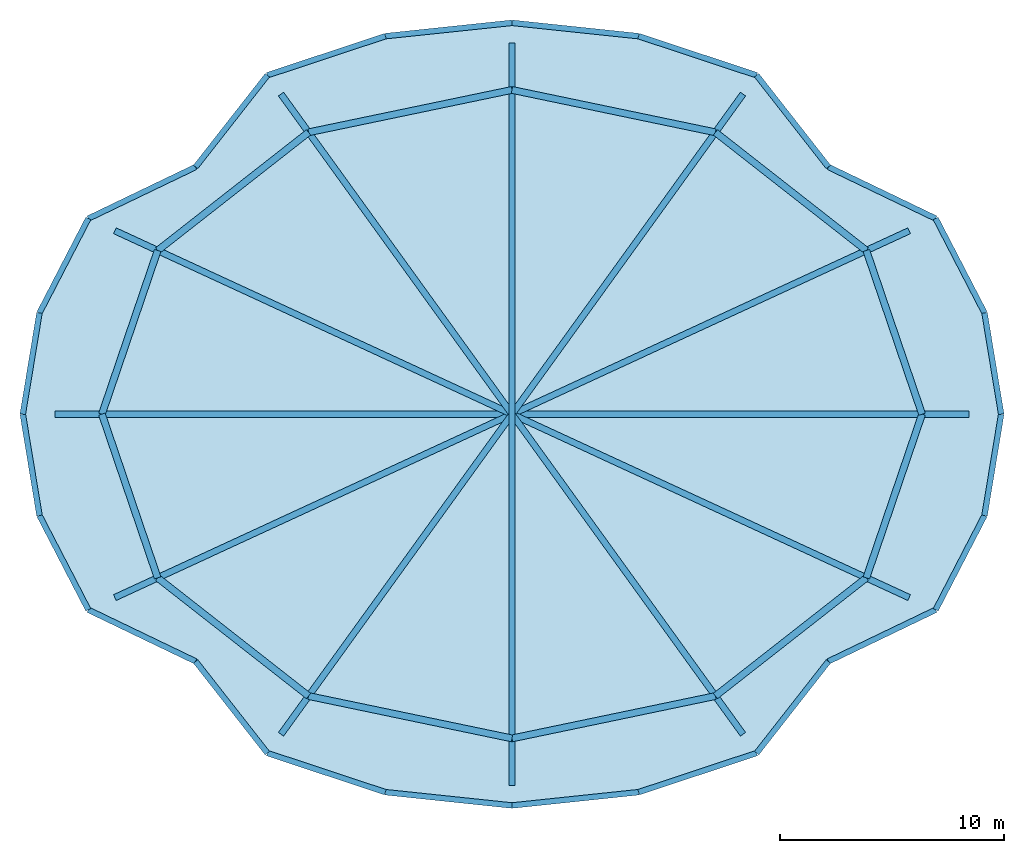
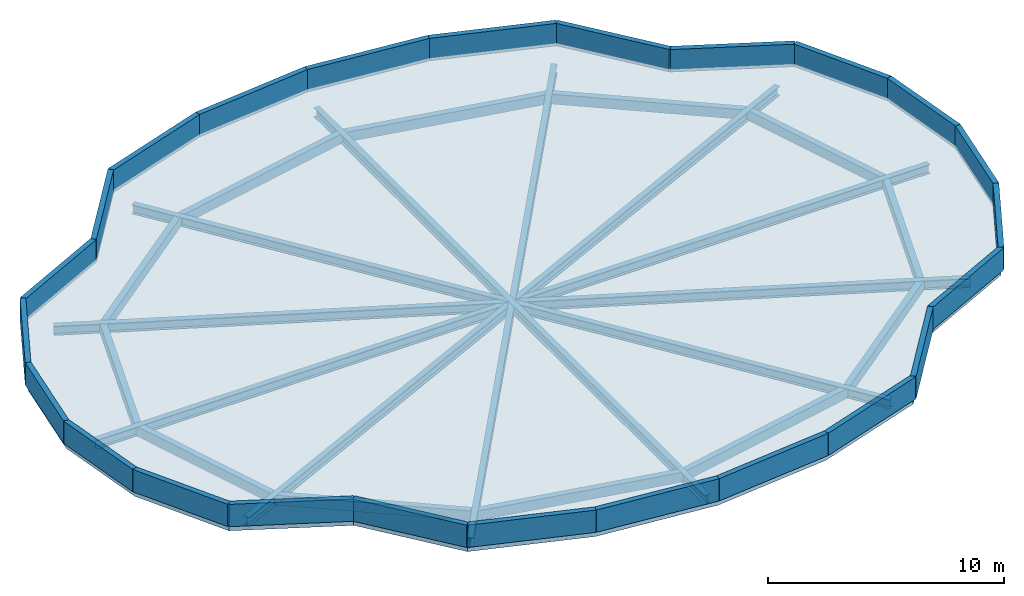
# One storey, part 1 of 2: 24 walls, 18 beams, 1 slab.
"""IFC4 building model written with IfcOpenShell, lengths in metres."""

from ifc_helpers import new_model, si_unit, direction, frame, frame_2d, origin, origin_2d, place, context, subcontext, project, spatial, polyline, rectangle, hollow_rectangle, i_section, outline, extrude, material, layer, layer_set, material_profile, profile_set, type_object, element, save


model = new_model("IFC4")

# Units and contexts
model_context = context("Model", 3, precision=1e-05, world=origin(), true_north=direction((0.0, 1.0)))
body_context = subcontext(model_context, "Body", "Model", "MODEL_VIEW")
ifc_project = project(units=[si_unit("LENGTHUNIT", "METRE"), si_unit("AREAUNIT", "SQUARE_METRE"), si_unit("VOLUMEUNIT", "CUBIC_METRE"), si_unit("PLANEANGLEUNIT", "RADIAN"), si_unit("MASSUNIT", "GRAM", prefix="KILO")], contexts=[model_context])

# Site, building, storey
site_placement = place(None, origin())
site = spatial("IfcSite", under=ifc_project, at=site_placement, CompositionType="ELEMENT")
building_placement = place(site_placement, origin())
building = spatial("IfcBuilding", under=site, at=building_placement, Name="Kolvaren Gate Tower and Convention Centre", CompositionType="ELEMENT")
storey_placement = place(building_placement, frame((0.0, 0.0, 291.300048828125)))
storey = spatial("IfcBuildingStorey", under=building, at=storey_placement, Name="RF", CompositionType="ELEMENT", Elevation=291.300048828125)

# Beams
ifc_material_1 = material(Name="Structural steel ASTM A500 Grade C 345 MPa", Category="steel")
ifc_material_profile_1 = material_profile(ifc_material_1, hollow_rectangle(XDim=0.304931640625, YDim=0.508056640625, WallThickness=0.015869140625, at=origin_2d()), Name="HSS508X305X15.9")
ifc_profile_set_1 = profile_set([ifc_material_profile_1], Name="Structural steel ASTM A500 Grade C 345 MPa")
beam_type_1 = type_object("IfcBeamType", Name="STR-BM-HSS508X305", PredefinedType="BEAM", material=ifc_profile_set_1)
beam_1_placement = place(storey_placement, frame((48.39990234375, 27.0, -0.254150390625), z_axis=(-0.322371334633, 0.946613290952, 0.0), x_axis=(-0.946613290952, -0.322371334633, 0.0)))
element("IfcBeam", 1, at=beam_1_placement, inside=storey, type_object=beam_type_1, Name="Crown Canopy Ring Beam RB-01 (CROWN FRAME)", PredefinedType="BEAM", context=body_context, shape_type="SweptSolid", body=[
    extrude(hollow_rectangle(XDim=0.304931640625, YDim=0.508056640625, WallThickness=0.015869140625, at=origin_2d()), origin(), (0.0, 0.0, 1.0), 7.705078125),
])
beam_2_placement = place(storey_placement, frame((45.916015625, 34.293701171875, -0.254150390625), z_axis=(-0.787311981436, 0.616554818233, 0.0), x_axis=(-0.616554818233, -0.787311981436, 0.0)))
element("IfcBeam", 2, at=beam_2_placement, inside=storey, type_object=beam_type_1, Name="Crown Canopy Ring Beam RB-02 (CROWN FRAME)", PredefinedType="BEAM", context=body_context, shape_type="SweptSolid", body=[
    extrude(hollow_rectangle(XDim=0.304931640625, YDim=0.508056640625, WallThickness=0.015869140625, at=origin_2d()), origin(), (0.0, 0.0, 1.0), 8.542724609375),
])
for number, where, z_axis, x_axis, name in (
    (3, (39.190185546875, 39.560791015625, -0.254150390625), (-0.978967915245, 0.204014266466, 0.0), (-0.204014266466, -0.978967915245, 0.0), "Crown Canopy Ring Beam RB-03 (CROWN FRAME)"),
    (4, (30.125, 41.449951171875, -0.254150390625), (-0.978967915245, -0.204014266466, 0.0), (0.204014266466, -0.978967915245, 0.0), "Crown Canopy Ring Beam RB-04 (CROWN FRAME)"),
):
    element("IfcBeam", number, at=place(storey_placement, frame(where, z_axis=z_axis, x_axis=x_axis)), inside=storey, type_object=beam_type_1, Name=name, PredefinedType="BEAM", context=body_context, shape_type="SweptSolid", body=[
        extrude(hollow_rectangle(XDim=0.304931640625, YDim=0.508056640625, WallThickness=0.015869140625, at=origin_2d()), origin(), (0.0, 0.0, 1.0), 9.260009765625),
    ])
beam_3_placement = place(storey_placement, frame((21.059814453125, 39.560791015625, -0.254150390625), z_axis=(-0.787311981436, -0.616554818233, 0.0), x_axis=(0.616554818233, -0.787311981436, 0.0)))
element("IfcBeam", 5, at=beam_3_placement, inside=storey, type_object=beam_type_1, Name="Crown Canopy Ring Beam RB-05 (CROWN FRAME)", PredefinedType="BEAM", context=body_context, shape_type="SweptSolid", body=[
    extrude(hollow_rectangle(XDim=0.304931640625, YDim=0.508056640625, WallThickness=0.015869140625, at=origin_2d()), origin(), (0.0, 0.0, 1.0), 8.542724609375),
])
for number, where, z_axis, x_axis, name in (
    (6, (14.333984375, 34.293701171875, -0.254150390625), (-0.322371334633, -0.946613290952, 0.0), (0.946613290952, -0.322371334633, 0.0), "Crown Canopy Ring Beam RB-06 (CROWN FRAME)"),
    (7, (11.85009765625, 27.0, -0.254150390625), (0.322371334633, -0.946613290952, 0.0), (0.946613290952, 0.322371334633, 0.0), "Crown Canopy Ring Beam RB-07 (CROWN FRAME)"),
):
    element("IfcBeam", number, at=place(storey_placement, frame(where, z_axis=z_axis, x_axis=x_axis)), inside=storey, type_object=beam_type_1, Name=name, PredefinedType="BEAM", context=body_context, shape_type="SweptSolid", body=[
        extrude(hollow_rectangle(XDim=0.304931640625, YDim=0.508056640625, WallThickness=0.015869140625, at=origin_2d()), origin(), (0.0, 0.0, 1.0), 7.705078125),
    ])
beam_4_placement = place(storey_placement, frame((14.333984375, 19.706298828125, -0.254150390625), z_axis=(0.787311981436, -0.616554818233, 0.0), x_axis=(0.616554818233, 0.787311981436, 0.0)))
element("IfcBeam", 8, at=beam_4_placement, inside=storey, type_object=beam_type_1, Name="Crown Canopy Ring Beam RB-08 (CROWN FRAME)", PredefinedType="BEAM", context=body_context, shape_type="SweptSolid", body=[
    extrude(hollow_rectangle(XDim=0.304931640625, YDim=0.508056640625, WallThickness=0.015869140625, at=origin_2d()), origin(), (0.0, 0.0, 1.0), 8.542724609375),
])
for number, where, z_axis, x_axis, name in (
    (9, (21.059814453125, 14.439208984375, -0.254150390625), (0.978967915245, -0.204014266466, 0.0), (0.204014266466, 0.978967915245, 0.0), "Crown Canopy Ring Beam RB-09 (CROWN FRAME)"),
    (10, (30.125, 12.550048828125, -0.254150390625), (0.978967915245, 0.204014266466, 0.0), (-0.204014266466, 0.978967915245, 0.0), "Crown Canopy Ring Beam RB-10 (CROWN FRAME)"),
):
    element("IfcBeam", number, at=place(storey_placement, frame(where, z_axis=z_axis, x_axis=x_axis)), inside=storey, type_object=beam_type_1, Name=name, PredefinedType="BEAM", context=body_context, shape_type="SweptSolid", body=[
        extrude(hollow_rectangle(XDim=0.304931640625, YDim=0.508056640625, WallThickness=0.015869140625, at=origin_2d()), origin(), (0.0, 0.0, 1.0), 9.260009765625),
    ])
beam_5_placement = place(storey_placement, frame((39.190185546875, 14.439208984375, -0.254150390625), z_axis=(0.787311981436, 0.616554818233, 0.0), x_axis=(-0.616554818233, 0.787311981436, 0.0)))
element("IfcBeam", 11, at=beam_5_placement, inside=storey, type_object=beam_type_1, Name="Crown Canopy Ring Beam RB-11 (CROWN FRAME)", PredefinedType="BEAM", context=body_context, shape_type="SweptSolid", body=[
    extrude(hollow_rectangle(XDim=0.304931640625, YDim=0.508056640625, WallThickness=0.015869140625, at=origin_2d()), origin(), (0.0, 0.0, 1.0), 8.542724609375),
])
beam_6_placement = place(storey_placement, frame((45.916015625, 19.706298828125, -0.254150390625), z_axis=(0.322371334633, 0.946613290952, 0.0), x_axis=(-0.946613290952, 0.322371334633, 0.0)))
element("IfcBeam", 12, at=beam_6_placement, inside=storey, type_object=beam_type_1, Name="Crown Canopy Ring Beam RB-12 (CROWN FRAME)", PredefinedType="BEAM", context=body_context, shape_type="SweptSolid", body=[
    extrude(hollow_rectangle(XDim=0.304931640625, YDim=0.508056640625, WallThickness=0.015869140625, at=origin_2d()), origin(), (0.0, 0.0, 1.0), 7.705078125),
])
ifc_material_2 = material(Name="Structural steel ASTM A992 Grade 345 MPa", Category="steel")
ifc_material_profile_2 = material_profile(ifc_material_2, i_section(OverallWidth=0.283935546875, OverallDepth=0.47607421875, WebThickness=0.014892578125, FlangeThickness=0.02392578125, at=origin_2d()), Name="W460X158")
ifc_profile_set_2 = profile_set([ifc_material_profile_2], Name="Structural steel ASTM A992 Grade 345 MPa")
beam_type_2 = type_object("IfcBeamType", Name="STR-BM-W460X158", PredefinedType="BEAM", material=ifc_profile_set_2)
beam_7_placement = place(storey_placement, frame((50.5, 27.0, -0.238037109375), z_axis=(-1.0, 0.0, 0.0), x_axis=(0.0, -1.0, 0.0)))
element("IfcBeam", 13, at=beam_7_placement, inside=storey, type_object=beam_type_2, Name="Crown Canopy Cross Girder CG-01 (CROWN FRAME)", PredefinedType="BEAM", context=body_context, shape_type="SweptSolid", body=[
    extrude(i_section(OverallWidth=0.283935546875, OverallDepth=0.47607421875, WebThickness=0.014892578125, FlangeThickness=0.02392578125, at=origin_2d()), origin(), (0.0, 0.0, 1.0), 40.75),
])
beam_8_placement = place(storey_placement, frame((47.822509765625, 35.17431640625, -0.238037109375), z_axis=(-0.907837651546, -0.419321831575, 0.0), x_axis=(0.419321831575, -0.907837651546, 0.0)))
element("IfcBeam", 14, at=beam_8_placement, inside=storey, type_object=beam_type_2, Name="Crown Canopy Cross Girder CG-02 (CROWN FRAME)", PredefinedType="BEAM", context=body_context, shape_type="SweptSolid", body=[
    extrude(i_section(OverallWidth=0.283935546875, OverallDepth=0.47607421875, WebThickness=0.014892578125, FlangeThickness=0.02392578125, at=origin_2d()), origin(), (0.0, 0.0, 1.0), 38.98828125),
])
beam_9_placement = place(storey_placement, frame((40.4189453125, 41.263916015625, -0.238037109375), z_axis=(-0.585200152246, -0.810888883763, 0.0), x_axis=(0.810888883763, -0.585200152246, 0.0)))
element("IfcBeam", 15, at=beam_9_placement, inside=storey, type_object=beam_type_2, Name="Crown Canopy Cross Girder CG-03 (CROWN FRAME)", PredefinedType="BEAM", context=body_context, shape_type="SweptSolid", body=[
    extrude(i_section(OverallWidth=0.283935546875, OverallDepth=0.47607421875, WebThickness=0.014892578125, FlangeThickness=0.02392578125, at=origin_2d()), origin(), (0.0, 0.0, 1.0), 35.180908203125),
])
beam_10_placement = place(storey_placement, frame((30.125, 43.550048828125, -0.238037109375), z_axis=(0.0, -1.0, 0.0), x_axis=(1.0, 0.0, 0.0)))
element("IfcBeam", 16, at=beam_10_placement, inside=storey, type_object=beam_type_2, Name="Crown Canopy Cross Girder CG-04 (CROWN FRAME)", PredefinedType="BEAM", context=body_context, shape_type="SweptSolid", body=[
    extrude(i_section(OverallWidth=0.283935546875, OverallDepth=0.47607421875, WebThickness=0.014892578125, FlangeThickness=0.02392578125, at=origin_2d()), origin(), (0.0, 0.0, 1.0), 33.10009765625),
])
beam_11_placement = place(storey_placement, frame((19.8310546875, 41.263916015625, -0.238037109375), z_axis=(0.585200152246, -0.810888883763, 0.0), x_axis=(0.810888883763, 0.585200152246, 0.0)))
element("IfcBeam", 17, at=beam_11_placement, inside=storey, type_object=beam_type_2, Name="Crown Canopy Cross Girder CG-05 (CROWN FRAME)", PredefinedType="BEAM", context=body_context, shape_type="SweptSolid", body=[
    extrude(i_section(OverallWidth=0.283935546875, OverallDepth=0.47607421875, WebThickness=0.014892578125, FlangeThickness=0.02392578125, at=origin_2d()), origin(), (0.0, 0.0, 1.0), 35.180908203125),
])
beam_12_placement = place(storey_placement, frame((12.427490234375, 35.17431640625, -0.238037109375), z_axis=(0.907837651546, -0.419321831575, 0.0), x_axis=(0.419321831575, 0.907837651546, 0.0)))
element("IfcBeam", 18, at=beam_12_placement, inside=storey, type_object=beam_type_2, Name="Crown Canopy Cross Girder CG-06 (CROWN FRAME)", PredefinedType="BEAM", context=body_context, shape_type="SweptSolid", body=[
    extrude(i_section(OverallWidth=0.283935546875, OverallDepth=0.47607421875, WebThickness=0.014892578125, FlangeThickness=0.02392578125, at=origin_2d()), origin(), (0.0, 0.0, 1.0), 38.98828125),
])

# Slab
ifc_material_3 = material(Name="Concrete C50/60", Category="concrete")
ifc_layer_1 = layer(ifc_material_3, 0.300048828125)
ifc_layer_set_1 = layer_set([ifc_layer_1], Name="Concrete C50/60")
slab_type = type_object("IfcSlabType", Name="STR-SL-ROOF-300", PredefinedType="ROOF", material=ifc_layer_set_1)
slab_placement = place(storey_placement, origin())
element("IfcSlab", 19, at=slab_placement, inside=storey, type_object=slab_type, Name="Tower Observation Crown Canopy Roof Slab", PredefinedType="ROOF", context=body_context, shape_type="SweptSolid", body=[
    extrude(outline(polyline([(51.927490234375, 27.0), (51.1845703125, 31.514404296875), (49.006591796875, 35.720947265625), (44.22607421875, 38.017822265625), (41.026123046875, 42.105224609375), (35.767822265625, 43.84765625), (30.125, 44.44189453125), (24.482177734375, 43.84765625), (19.223876953125, 42.105224609375), (16.02392578125, 38.017822265625), (11.243408203125, 35.720947265625), (9.0654296875, 31.514404296875), (8.322509765625, 27.0), (9.0654296875, 22.485595703125), (11.243408203125, 18.279052734375), (16.02392578125, 15.982177734375), (19.223876953125, 11.894775390625), (24.482177734375, 10.15234375), (30.125, 9.55810546875), (35.767822265625, 10.15234375), (41.026123046875, 11.894775390625), (44.22607421875, 15.982177734375), (49.006591796875, 18.279052734375), (51.1845703125, 22.485595703125), (51.927490234375, 27.0)])), origin(), (0.0, 0.0, 1.0), 0.300048828125),
])

# Walls
ifc_material_4 = material(Name="Piedmont Cream Honed Limestone Cladding", Category="masonry")
ifc_layer_2 = layer(ifc_material_4, 0.25)
ifc_layer_set_2 = layer_set([ifc_layer_2], Name="Piedmont Cream Honed Limestone Cladding")
wall_type = type_object("IfcWallType", Name="ARCH-WL-PARAPET-250", PredefinedType="PARAPET", material=ifc_layer_set_2)
wall_1_placement = place(storey_placement, frame((51.1845703125, 31.514404296875, 0.300048828125), z_axis=(0.0, 0.0, 1.0), x_axis=(0.162382402786, -0.986727903358, 0.0)))
element("IfcWall", 20, at=wall_1_placement, inside=storey, type_object=wall_type, Name="Crown Canopy Stone Parapet Upstand PW-01", PredefinedType="PARAPET", context=body_context, shape_type="SweptSolid", body=[
    extrude(rectangle(XDim=4.5751953125, YDim=0.25, at=frame_2d((2.28759765625, 0.0))), origin(), (0.0, 0.0, 1.0), 1.14990234375),
])
wall_2_placement = place(storey_placement, frame((49.006591796875, 35.720947265625, 0.300048828125), z_axis=(0.0, 0.0, 1.0), x_axis=(0.459786027749, -0.888029734123, 0.0)))
element("IfcWall", 21, at=wall_2_placement, inside=storey, type_object=wall_type, Name="Crown Canopy Stone Parapet Upstand PW-02", PredefinedType="PARAPET", context=body_context, shape_type="SweptSolid", body=[
    extrude(rectangle(XDim=4.737060546875, YDim=0.25, at=frame_2d((2.36865234375, 0.0))), origin(), (0.0, 0.0, 1.0), 1.14990234375),
])
wall_3_placement = place(storey_placement, frame((44.22607421875, 38.017822265625, 0.300048828125), z_axis=(0.0, 0.0, 1.0), x_axis=(0.901359215947, -0.433072238579, 0.0)))
element("IfcWall", 22, at=wall_3_placement, inside=storey, type_object=wall_type, Name="Crown Canopy Stone Parapet Upstand PW-03", PredefinedType="PARAPET", context=body_context, shape_type="SweptSolid", body=[
    extrude(rectangle(XDim=5.3037109375, YDim=0.25, at=frame_2d((2.65185546875, 0.0))), origin(), (0.0, 0.0, 1.0), 1.14990234375),
])
wall_4_placement = place(storey_placement, frame((41.026123046875, 42.105224609375, 0.300048828125), z_axis=(0.0, 0.0, 1.0), x_axis=(0.616441407581, -0.787400781699, 0.0)))
element("IfcWall", 23, at=wall_4_placement, inside=storey, type_object=wall_type, Name="Crown Canopy Stone Parapet Upstand PW-04", PredefinedType="PARAPET", context=body_context, shape_type="SweptSolid", body=[
    extrude(rectangle(XDim=5.19091796875, YDim=0.25, at=frame_2d((2.595458984375, 0.0))), origin(), (0.0, 0.0, 1.0), 1.14990234375),
])
wall_5_placement = place(storey_placement, frame((35.767822265625, 43.84765625, 0.300048828125), z_axis=(0.0, 0.0, 1.0), x_axis=(0.949241537458, -0.314548094198, 0.0)))
element("IfcWall", 24, at=wall_5_placement, inside=storey, type_object=wall_type, Name="Crown Canopy Stone Parapet Upstand PW-05", PredefinedType="PARAPET", context=body_context, shape_type="SweptSolid", body=[
    extrude(rectangle(XDim=5.53955078125, YDim=0.25, at=frame_2d((2.769775390625, 0.0))), origin(), (0.0, 0.0, 1.0), 1.14990234375),
])
for number, where, z_axis, x_axis, name in (
    (25, (30.125, 44.44189453125, 0.300048828125), (0.0, 0.0, 1.0), (0.994500736541, -0.104729580441, 0.0), "Crown Canopy Stone Parapet Upstand PW-06"),
    (26, (24.482177734375, 43.84765625, 0.300048828125), (0.0, 0.0, 1.0), (0.994500736541, 0.104729580441, 0.0), "Crown Canopy Stone Parapet Upstand PW-07"),
):
    element("IfcWall", number, at=place(storey_placement, frame(where, z_axis=z_axis, x_axis=x_axis)), inside=storey, type_object=wall_type, Name=name, PredefinedType="PARAPET", context=body_context, shape_type="SweptSolid", body=[
        extrude(rectangle(XDim=5.674072265625, YDim=0.25, at=frame_2d((2.8369140625, 0.0))), origin(), (0.0, 0.0, 1.0), 1.14990234375),
    ])
wall_6_placement = place(storey_placement, frame((19.223876953125, 42.105224609375, 0.300048828125), z_axis=(0.0, 0.0, 1.0), x_axis=(0.949241537458, 0.314548094198, 0.0)))
element("IfcWall", 27, at=wall_6_placement, inside=storey, type_object=wall_type, Name="Crown Canopy Stone Parapet Upstand PW-08", PredefinedType="PARAPET", context=body_context, shape_type="SweptSolid", body=[
    extrude(rectangle(XDim=5.53955078125, YDim=0.25, at=frame_2d((2.769775390625, 0.0))), origin(), (0.0, 0.0, 1.0), 1.14990234375),
])
wall_7_placement = place(storey_placement, frame((16.02392578125, 38.017822265625, 0.300048828125), z_axis=(0.0, 0.0, 1.0), x_axis=(0.616441407581, 0.787400781699, 0.0)))
element("IfcWall", 28, at=wall_7_placement, inside=storey, type_object=wall_type, Name="Crown Canopy Stone Parapet Upstand PW-09", PredefinedType="PARAPET", context=body_context, shape_type="SweptSolid", body=[
    extrude(rectangle(XDim=5.19091796875, YDim=0.25, at=frame_2d((2.595458984375, 0.0))), origin(), (0.0, 0.0, 1.0), 1.14990234375),
])
wall_8_placement = place(storey_placement, frame((11.243408203125, 35.720947265625, 0.300048828125), z_axis=(0.0, 0.0, 1.0), x_axis=(0.901359215947, 0.433072238579, 0.0)))
element("IfcWall", 29, at=wall_8_placement, inside=storey, type_object=wall_type, Name="Crown Canopy Stone Parapet Upstand PW-10", PredefinedType="PARAPET", context=body_context, shape_type="SweptSolid", body=[
    extrude(rectangle(XDim=5.3037109375, YDim=0.25, at=frame_2d((2.65185546875, 0.0))), origin(), (0.0, 0.0, 1.0), 1.14990234375),
])
wall_9_placement = place(storey_placement, frame((9.0654296875, 31.514404296875, 0.300048828125), z_axis=(0.0, 0.0, 1.0), x_axis=(0.459786027749, 0.888029734123, 0.0)))
element("IfcWall", 30, at=wall_9_placement, inside=storey, type_object=wall_type, Name="Crown Canopy Stone Parapet Upstand PW-11", PredefinedType="PARAPET", context=body_context, shape_type="SweptSolid", body=[
    extrude(rectangle(XDim=4.737060546875, YDim=0.25, at=frame_2d((2.36865234375, 0.0))), origin(), (0.0, 0.0, 1.0), 1.14990234375),
])
for number, where, z_axis, x_axis, name in (
    (31, (8.322509765625, 27.0, 0.300048828125), (0.0, 0.0, 1.0), (0.162382402786, 0.986727903358, 0.0), "Crown Canopy Stone Parapet Upstand PW-12"),
    (32, (8.322509765625, 27.0, 0.300048828125), (0.0, 0.0, 1.0), (0.162382402786, -0.986727903358, 0.0), "Crown Canopy Stone Parapet Upstand PW-13"),
):
    element("IfcWall", number, at=place(storey_placement, frame(where, z_axis=z_axis, x_axis=x_axis)), inside=storey, type_object=wall_type, Name=name, PredefinedType="PARAPET", context=body_context, shape_type="SweptSolid", body=[
        extrude(rectangle(XDim=4.5751953125, YDim=0.25, at=frame_2d((2.28759765625, 0.0))), origin(), (0.0, 0.0, 1.0), 1.14990234375),
    ])
wall_10_placement = place(storey_placement, frame((9.0654296875, 22.485595703125, 0.300048828125), z_axis=(0.0, 0.0, 1.0), x_axis=(0.459786027749, -0.888029734123, 0.0)))
element("IfcWall", 33, at=wall_10_placement, inside=storey, type_object=wall_type, Name="Crown Canopy Stone Parapet Upstand PW-14", PredefinedType="PARAPET", context=body_context, shape_type="SweptSolid", body=[
    extrude(rectangle(XDim=4.737060546875, YDim=0.25, at=frame_2d((2.36865234375, 0.0))), origin(), (0.0, 0.0, 1.0), 1.14990234375),
])
wall_11_placement = place(storey_placement, frame((11.243408203125, 18.279052734375, 0.300048828125), z_axis=(0.0, 0.0, 1.0), x_axis=(0.901359215947, -0.433072238579, 0.0)))
element("IfcWall", 34, at=wall_11_placement, inside=storey, type_object=wall_type, Name="Crown Canopy Stone Parapet Upstand PW-15", PredefinedType="PARAPET", context=body_context, shape_type="SweptSolid", body=[
    extrude(rectangle(XDim=5.3037109375, YDim=0.25, at=frame_2d((2.65185546875, 0.0))), origin(), (0.0, 0.0, 1.0), 1.14990234375),
])
wall_12_placement = place(storey_placement, frame((16.02392578125, 15.982177734375, 0.300048828125), z_axis=(0.0, 0.0, 1.0), x_axis=(0.616441407581, -0.787400781699, 0.0)))
element("IfcWall", 35, at=wall_12_placement, inside=storey, type_object=wall_type, Name="Crown Canopy Stone Parapet Upstand PW-16", PredefinedType="PARAPET", context=body_context, shape_type="SweptSolid", body=[
    extrude(rectangle(XDim=5.19091796875, YDim=0.25, at=frame_2d((2.595458984375, 0.0))), origin(), (0.0, 0.0, 1.0), 1.14990234375),
])
wall_13_placement = place(storey_placement, frame((19.223876953125, 11.894775390625, 0.300048828125), z_axis=(0.0, 0.0, 1.0), x_axis=(0.949241537458, -0.314548094198, 0.0)))
element("IfcWall", 36, at=wall_13_placement, inside=storey, type_object=wall_type, Name="Crown Canopy Stone Parapet Upstand PW-17", PredefinedType="PARAPET", context=body_context, shape_type="SweptSolid", body=[
    extrude(rectangle(XDim=5.53955078125, YDim=0.25, at=frame_2d((2.769775390625, 0.0))), origin(), (0.0, 0.0, 1.0), 1.14990234375),
])
for number, where, z_axis, x_axis, name in (
    (37, (24.482177734375, 10.15234375, 0.300048828125), (0.0, 0.0, 1.0), (0.994500736541, -0.104729580441, 0.0), "Crown Canopy Stone Parapet Upstand PW-18"),
    (38, (30.125, 9.55810546875, 0.300048828125), (0.0, 0.0, 1.0), (0.994500736541, 0.104729580441, 0.0), "Crown Canopy Stone Parapet Upstand PW-19"),
):
    element("IfcWall", number, at=place(storey_placement, frame(where, z_axis=z_axis, x_axis=x_axis)), inside=storey, type_object=wall_type, Name=name, PredefinedType="PARAPET", context=body_context, shape_type="SweptSolid", body=[
        extrude(rectangle(XDim=5.674072265625, YDim=0.25, at=frame_2d((2.8369140625, 0.0))), origin(), (0.0, 0.0, 1.0), 1.14990234375),
    ])
wall_14_placement = place(storey_placement, frame((35.767822265625, 10.15234375, 0.300048828125), z_axis=(0.0, 0.0, 1.0), x_axis=(0.949241537458, 0.314548094198, 0.0)))
element("IfcWall", 39, at=wall_14_placement, inside=storey, type_object=wall_type, Name="Crown Canopy Stone Parapet Upstand PW-20", PredefinedType="PARAPET", context=body_context, shape_type="SweptSolid", body=[
    extrude(rectangle(XDim=5.53955078125, YDim=0.25, at=frame_2d((2.769775390625, 0.0))), origin(), (0.0, 0.0, 1.0), 1.14990234375),
])
wall_15_placement = place(storey_placement, frame((41.026123046875, 11.894775390625, 0.300048828125), z_axis=(0.0, 0.0, 1.0), x_axis=(0.616441407581, 0.787400781699, 0.0)))
element("IfcWall", 40, at=wall_15_placement, inside=storey, type_object=wall_type, Name="Crown Canopy Stone Parapet Upstand PW-21", PredefinedType="PARAPET", context=body_context, shape_type="SweptSolid", body=[
    extrude(rectangle(XDim=5.19091796875, YDim=0.25, at=frame_2d((2.595458984375, 0.0))), origin(), (0.0, 0.0, 1.0), 1.14990234375),
])
wall_16_placement = place(storey_placement, frame((44.22607421875, 15.982177734375, 0.300048828125), z_axis=(0.0, 0.0, 1.0), x_axis=(0.901359215947, 0.433072238579, 0.0)))
element("IfcWall", 41, at=wall_16_placement, inside=storey, type_object=wall_type, Name="Crown Canopy Stone Parapet Upstand PW-22", PredefinedType="PARAPET", context=body_context, shape_type="SweptSolid", body=[
    extrude(rectangle(XDim=5.3037109375, YDim=0.25, at=frame_2d((2.65185546875, 0.0))), origin(), (0.0, 0.0, 1.0), 1.14990234375),
])
wall_17_placement = place(storey_placement, frame((49.006591796875, 18.279052734375, 0.300048828125), z_axis=(0.0, 0.0, 1.0), x_axis=(0.459786027749, 0.888029734123, 0.0)))
element("IfcWall", 42, at=wall_17_placement, inside=storey, type_object=wall_type, Name="Crown Canopy Stone Parapet Upstand PW-23", PredefinedType="PARAPET", context=body_context, shape_type="SweptSolid", body=[
    extrude(rectangle(XDim=4.737060546875, YDim=0.25, at=frame_2d((2.36865234375, 0.0))), origin(), (0.0, 0.0, 1.0), 1.14990234375),
])
wall_18_placement = place(storey_placement, frame((51.1845703125, 22.485595703125, 0.300048828125), z_axis=(0.0, 0.0, 1.0), x_axis=(0.162382402786, 0.986727903358, 0.0)))
element("IfcWall", 43, at=wall_18_placement, inside=storey, type_object=wall_type, Name="Crown Canopy Stone Parapet Upstand PW-24", PredefinedType="PARAPET", context=body_context, shape_type="SweptSolid", body=[
    extrude(rectangle(XDim=4.5751953125, YDim=0.25, at=frame_2d((2.28759765625, 0.0))), origin(), (0.0, 0.0, 1.0), 1.14990234375),
])

save(model, "model.ifc")
